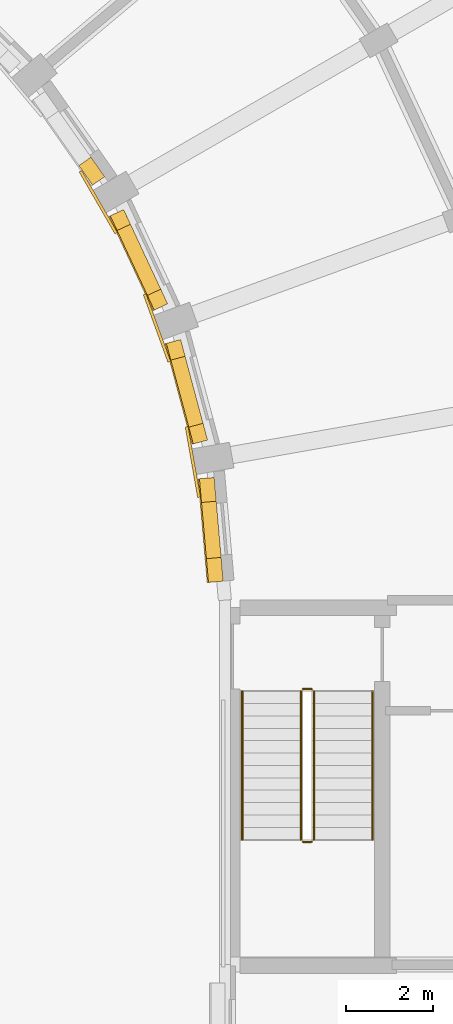
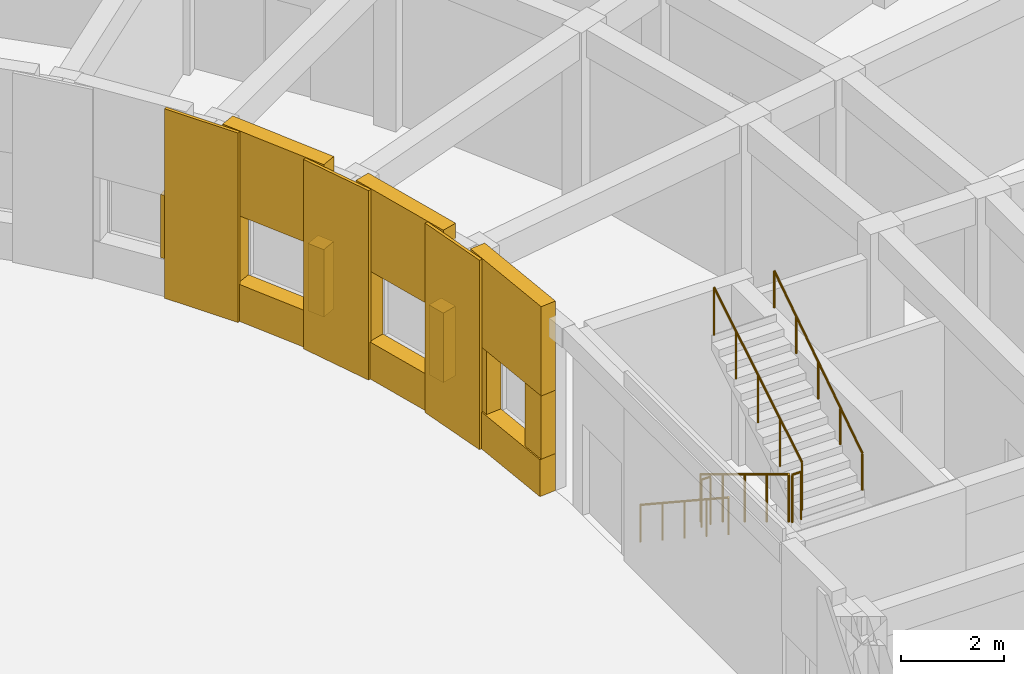
# One storey, part 132 of 135: 16 coverings, 6 railings.
"""IFC4 building model written with IfcOpenShell, lengths in metres."""

import ifcopenshell
import ifcopenshell.guid

model = None  # the IFC model being written
_history = None  # IfcOwnerHistory: only IFC2X3 demands one
_inside = {}  # id of a spatial element -> (the spatial element, [elements in it])
_under = {}  # id of a project, library or spatial element -> (it, [spatial elements below it])
_declared = {}  # id of a project -> (the project, [libraries it declares])
_typed = {}  # id of a type object -> (the type object, [elements of that type])
_made_of = {}  # id of a material, layer set ... -> (it, [elements and type objects made of it])


def new_model(schema):
    """Start an empty IFC model of exactly this schema.

    Asked for "IFC4X3", IfcOpenShell would pick the latest addendum, in which some entities
    have other attributes; the version numbers below select the first issue.
    IFC2X3 requires an IfcOwnerHistory on every rooted entity: one is made here for all.
    """
    global model, _history
    if schema == "IFC4X3":
        model = ifcopenshell.file(schema_version=(4, 3, 0, 0))
    else:
        model = ifcopenshell.file(schema=schema)
    _inside.clear()
    _under.clear()
    _declared.clear()
    _typed.clear()
    _made_of.clear()
    _history = None
    if model.schema == "IFC2X3":
        org = make("IfcOrganization", Name="unknown")
        user = make(
            "IfcPersonAndOrganization",
            ThePerson=make("IfcPerson", FamilyName="unknown"),
            TheOrganization=org,
        )
        app = make(
            "IfcApplication",
            ApplicationDeveloper=org,
            Version="unknown",
            ApplicationFullName="unknown",
            ApplicationIdentifier="unknown",
        )
        _history = make(
            "IfcOwnerHistory",
            OwningUser=user,
            OwningApplication=app,
            ChangeAction="ADDED",
            CreationDate=0,
        )
    return model


def make(cls, **values):
    """One entity of the class cls with the attributes given. An attribute that is None is left unset."""
    return model.create_entity(
        cls, **{name: value for name, value in values.items() if value is not None}
    )


def rooted(cls, **values):
    """An entity with a GlobalId (a new one), such as an element, a storey or a relation."""
    return make(cls, GlobalId=ifcopenshell.guid.new(), OwnerHistory=_history, **values)


def si_unit(unit_type, name, prefix=None):
    """IfcSIUnit, for example si_unit("LENGTHUNIT", "METRE", prefix="MILLI")."""
    return make("IfcSIUnit", UnitType=unit_type, Prefix=prefix, Name=name)


def assignment(units):
    """IfcUnitAssignment: the units of a project."""
    return None if units is None else make("IfcUnitAssignment", Units=units)


def point(xyz):
    """IfcCartesianPoint."""
    return None if xyz is None else make("IfcCartesianPoint", Coordinates=xyz)


def direction(xyz):
    """IfcDirection."""
    return None if xyz is None else make("IfcDirection", DirectionRatios=xyz)


def frame(location, z_axis=None, x_axis=None):
    """IfcAxis2Placement3D, a coordinate frame: its origin and axes. An axis left out is left unset."""
    return make(
        "IfcAxis2Placement3D",
        Location=point(location),
        Axis=direction(z_axis),
        RefDirection=direction(x_axis),
    )


def frame_2d(location, x_axis=None):
    """IfcAxis2Placement2D, a coordinate frame in the plane: its origin and x axis."""
    return make(
        "IfcAxis2Placement2D", Location=point(location), RefDirection=direction(x_axis)
    )


def origin():
    """The frame at (0, 0, 0) with its axes left unset."""
    return frame((0.0, 0.0, 0.0))


def origin_2d():
    """The frame at (0, 0) in the plane with its x axis left unset."""
    return frame_2d((0.0, 0.0))


def place(relative_to, where):
    """IfcLocalPlacement: puts the frame where relative to a parent placement (None: the world)."""
    return make(
        "IfcLocalPlacement", PlacementRelTo=relative_to, RelativePlacement=where
    )


def context(
    kind, dimensions, precision=None, world=None, true_north=None, identifier=None
):
    """IfcGeometricRepresentationContext, for example the 3D "Model" context."""
    return make(
        "IfcGeometricRepresentationContext",
        ContextIdentifier=identifier,
        ContextType=kind,
        CoordinateSpaceDimension=dimensions,
        Precision=precision,
        WorldCoordinateSystem=world,
        TrueNorth=true_north,
    )


def subcontext(parent, identifier, kind, view, scale=None):
    """IfcGeometricRepresentationSubContext, for example "Body" below "Model"."""
    return make(
        "IfcGeometricRepresentationSubContext",
        ContextIdentifier=identifier,
        ContextType=kind,
        ParentContext=parent,
        TargetScale=scale,
        TargetView=view,
    )


def project(units=None, contexts=None):
    """IfcProject with its units and contexts."""
    return rooted(
        "IfcProject",
        Name="project",
        RepresentationContexts=contexts,
        UnitsInContext=assignment(units),
    )


def spatial(cls, under=None, at=None, **own):
    """A site, building, storey or space (cls), placed at a placement, below another one or the project."""
    s = rooted(cls, ObjectPlacement=at, **own)
    if under is not None:
        _under.setdefault(under.id(), (under, []))[1].append(s)
    return s


def polyline(points):
    """IfcPolyline through the points."""
    return make("IfcPolyline", Points=[point(p) for p in points])


def profile(cls, at=None, kind="AREA", **sizes):
    """A parametric profile (cls). Its sizes go by their IFC names, for example OverallWidth=200.0."""
    return make(cls, ProfileType=kind, Position=at, **sizes)


def circle(**sizes):
    """IfcCircleProfileDef."""
    return profile("IfcCircleProfileDef", **sizes)


def outline(outer, holes=None, kind="AREA"):
    """IfcArbitraryClosedProfileDef: a profile drawn as a closed curve; with holes, ...WithVoids."""
    if holes is None:
        return make("IfcArbitraryClosedProfileDef", ProfileType=kind, OuterCurve=outer)
    return make(
        "IfcArbitraryProfileDefWithVoids",
        ProfileType=kind,
        OuterCurve=outer,
        InnerCurves=holes,
    )


def extrude(swept, where, along, depth):
    """IfcExtrudedAreaSolid: the profile swept, set in the frame where, extruded along a direction by depth."""
    return make(
        "IfcExtrudedAreaSolid",
        SweptArea=swept,
        Position=where,
        ExtrudedDirection=direction(along),
        Depth=depth,
    )


def shape(context_of_items, identifier, shape_type, items):
    """IfcShapeRepresentation: the items that make up one representation, for example the "Body"."""
    return make(
        "IfcShapeRepresentation",
        ContextOfItems=context_of_items,
        RepresentationIdentifier=identifier,
        RepresentationType=shape_type,
        Items=items,
    )


def material(Name=None, Category=None):
    """IfcMaterial."""
    return make("IfcMaterial", Name=Name, Category=Category)


def layer(
    of_material, thickness, ventilated=None, Name=None, Category=None, Priority=None
):
    """IfcMaterialLayer: one layer of a wall or slab, of a material (None: an air gap)."""
    return make(
        "IfcMaterialLayer",
        Material=of_material,
        LayerThickness=thickness,
        IsVentilated=ventilated,
        Name=Name,
        Category=Category,
        Priority=Priority,
    )


def layer_set(layers, Name=None):
    """IfcMaterialLayerSet."""
    return make("IfcMaterialLayerSet", MaterialLayers=layers, LayerSetName=Name)


def made_of(thing, what):
    """Note that an element or type object is made of a material, layer set ...; save() writes the relation."""
    if what is not None:
        _made_of.setdefault(what.id(), (what, []))[1].append(thing)
    return thing


def type_object(cls, material=None, **own):
    """A type object (cls), such as IfcWallType, which elements share."""
    return made_of(rooted(cls, **own), material)


def element(
    cls,
    number,
    at=None,
    inside=None,
    cuts=None,
    type_object=None,
    material=None,
    context=None,
    identifier="Body",
    shape_type=None,
    held_by="IfcProductDefinitionShape",
    body=None,
    shapes=None,
    **own,
):
    """One element of the class cls, such as IfcWall. Its Tag is "e" and its number.

    at: its placement. inside: the storey or other place that contains it. cuts: it is an
    opening in that element (IfcRelVoidsElement). A single representation is given by context,
    identifier, shape_type and body (its items); several are given by shapes. held_by: the class
    of the entity that holds the representations. save() writes the other relations.
    """
    e = rooted(cls, Tag="e%d" % number, ObjectPlacement=at, **own)
    if body is not None:
        shapes = [shape(context, identifier, shape_type, body)]
    if shapes is not None:
        e.Representation = make(held_by, Representations=shapes)
    if inside is not None:
        _inside.setdefault(inside.id(), (inside, []))[1].append(e)
    if cuts is not None:
        rooted(
            "IfcRelVoidsElement", RelatingBuildingElement=cuts, RelatedOpeningElement=e
        )
    if type_object is not None:
        _typed.setdefault(type_object.id(), (type_object, []))[1].append(e)
    return made_of(e, material)


def aggregate(whole, parts):
    """IfcRelAggregates: a whole, such as a stair, and the parts it consists of."""
    return rooted("IfcRelAggregates", RelatingObject=whole, RelatedObjects=parts)


def save(model, path):
    """Write the relations noted so far, then the file.

    IfcRelAggregates (storeys below a building ...), IfcRelContainedInSpatialStructure (elements
    in a storey), IfcRelDefinesByType, IfcRelAssociatesMaterial and IfcRelDeclares: one each for
    every whole, place, type object, material and project.
    """
    for whole, parts in _under.values():
        aggregate(whole, parts)
    for where, things in _inside.values():
        rooted(
            "IfcRelContainedInSpatialStructure",
            RelatedElements=things,
            RelatingStructure=where,
        )
    for kind, things in _typed.values():
        rooted("IfcRelDefinesByType", RelatedObjects=things, RelatingType=kind)
    for what, things in _made_of.values():
        rooted("IfcRelAssociatesMaterial", RelatedObjects=things, RelatingMaterial=what)
    for by, libraries in _declared.values():
        rooted("IfcRelDeclares", RelatingContext=by, RelatedDefinitions=libraries)
    model.write(path)


model = new_model("IFC4")

# Units and contexts
model_context = context("Model", 3, precision=1e-05, world=origin(), true_north=direction((0.0, 1.0)))
body_context = subcontext(model_context, "Body", "Model", "MODEL_VIEW")
ifc_project = project(units=[si_unit("LENGTHUNIT", "METRE"), si_unit("AREAUNIT", "SQUARE_METRE"), si_unit("VOLUMEUNIT", "CUBIC_METRE"), si_unit("PLANEANGLEUNIT", "RADIAN"), si_unit("MASSUNIT", "GRAM", prefix="KILO")], contexts=[model_context])

# Site, building, storey
site_placement = place(None, origin())
site = spatial("IfcSite", under=ifc_project, at=site_placement, CompositionType="ELEMENT")
building_placement = place(site_placement, origin())
building = spatial("IfcBuilding", under=site, at=building_placement, Name="Kiranvali Square Residences", CompositionType="ELEMENT")
storey_placement = place(building_placement, origin())
storey = spatial("IfcBuildingStorey", under=building, at=storey_placement, Name="L00", CompositionType="ELEMENT", Elevation=0.0)

# Coverings
ifc_material_1 = material(Name="Honed Porbandar limestone ashlar facade cladding", Category="masonry")
ifc_layer_1 = layer(ifc_material_1, 0.3798828125)
ifc_layer_set_1 = layer_set([ifc_layer_1], Name="Honed Porbandar limestone ashlar facade cladding")
covering_type_1 = type_object("IfcCoveringType", Name="COV-CLAD-JAMB", PredefinedType="CLADDING", material=ifc_layer_set_1)
covering_1_placement = place(storey_placement, frame((0.0, 0.0, 0.8798828125)))
element("IfcCovering", 1, at=covering_1_placement, inside=storey, type_object=covering_type_1, Name="L00 deep limestone window jamb reveal B-L00-GDN-05.R", PredefinedType="CLADDING", context=body_context, shape_type="SweptSolid", body=[
    extrude(outline(polyline([(135.23583984375, 97.814697265625), (135.55029296875, 97.365478515625), (135.828369140625, 97.56005859375), (135.513916015625, 98.009521484375), (135.23583984375, 97.814697265625)])), origin(), (0.0, 0.0, 1.0), 1.5),
])
covering_2_placement = place(storey_placement, frame((0.0, 0.0, 0.8798828125)))
element("IfcCovering", 2, at=covering_2_placement, inside=storey, type_object=covering_type_1, Name="L00 deep limestone window jamb reveal B-L00-GDN-06.L", PredefinedType="CLADDING", context=body_context, shape_type="SweptSolid", body=[
    extrude(outline(polyline([(135.958984375, 96.657470703125), (136.116943359375, 96.319091796875), (136.424560546875, 96.46240234375), (136.266845703125, 96.801025390625), (135.958984375, 96.657470703125)])), origin(), (0.0, 0.0, 1.0), 1.60009765625),
])
covering_3_placement = place(storey_placement, frame((0.0, 0.0, 0.8798828125)))
element("IfcCovering", 3, at=covering_3_placement, inside=storey, type_object=covering_type_1, Name="L00 deep limestone window jamb reveal B-L00-GDN-06.R", PredefinedType="CLADDING", context=body_context, shape_type="SweptSolid", body=[
    extrude(outline(polyline([(136.814208984375, 94.823486328125), (136.97216796875, 94.485107421875), (137.27978515625, 94.62841796875), (137.1220703125, 94.967041015625), (136.814208984375, 94.823486328125)])), origin(), (0.0, 0.0, 1.0), 1.60009765625),
])
covering_4_placement = place(storey_placement, frame((0.0, 0.0, 0.8798828125)))
element("IfcCovering", 4, at=covering_4_placement, inside=storey, type_object=covering_type_1, Name="L00 deep limestone window jamb reveal B-L00-GDN-07.L", PredefinedType="CLADDING", context=body_context, shape_type="SweptSolid", body=[
    extrude(outline(polyline([(137.251708984375, 93.717041015625), (137.354736328125, 93.33203125), (137.682861328125, 93.419921875), (137.57958984375, 93.804931640625), (137.251708984375, 93.717041015625)])), origin(), (0.0, 0.0, 1.0), 1.650146484375),
])
covering_5_placement = place(storey_placement, frame((0.0, 0.0, 0.8798828125)))
element("IfcCovering", 5, at=covering_5_placement, inside=storey, type_object=covering_type_1, Name="L00 deep limestone window jamb reveal B-L00-GDN-07.R", PredefinedType="CLADDING", context=body_context, shape_type="SweptSolid", body=[
    extrude(outline(polyline([(137.76904296875, 91.78662109375), (137.8720703125, 91.401611328125), (138.199951171875, 91.489501953125), (138.096923828125, 91.87451171875), (137.76904296875, 91.78662109375)])), origin(), (0.0, 0.0, 1.0), 1.650146484375),
])
covering_6_placement = place(storey_placement, frame((0.0, 0.0, 0.8798828125)))
element("IfcCovering", 6, at=covering_6_placement, inside=storey, type_object=covering_type_1, Name="L00 deep limestone window jamb reveal B-L00-GDN-08.L", PredefinedType="CLADDING", context=body_context, shape_type="SweptSolid", body=[
    extrude(outline(polyline([(138.013916015625, 90.5966796875), (138.061767578125, 90.05029296875), (138.400146484375, 90.079833984375), (138.352294921875, 90.626220703125), (138.013916015625, 90.5966796875)])), origin(), (0.0, 0.0, 1.0), 1.5),
])
covering_7_placement = place(storey_placement, frame((0.0, 0.0, 0.8798828125)))
element("IfcCovering", 7, at=covering_7_placement, inside=storey, type_object=covering_type_1, Name="L00 deep limestone window jamb reveal B-L00-GDN-08.R", PredefinedType="CLADDING", context=body_context, shape_type="SweptSolid", body=[
    extrude(outline(polyline([(138.175048828125, 88.755126953125), (138.222900390625, 88.208740234375), (138.56103515625, 88.23828125), (138.513427734375, 88.78466796875), (138.175048828125, 88.755126953125)])), origin(), (0.0, 0.0, 1.0), 1.5),
])
ifc_layer_2 = layer(ifc_material_1, 0.050048828125)
ifc_layer_set_2 = layer_set([ifc_layer_2], Name="Honed Porbandar limestone ashlar facade cladding")
covering_type_2 = type_object("IfcCoveringType", Name="COV-CLAD-PIER-IN", PredefinedType="CLADDING", material=ifc_layer_set_2)
covering_8_placement = place(storey_placement, frame((0.0, 0.0, 0.0048828125)))
element("IfcCovering", 8, at=covering_8_placement, inside=storey, type_object=covering_type_2, Name="L00 Classical garden courtyard pilaster CLAD-PRIN-B-L00-A06", PredefinedType="CLADDING", context=body_context, shape_type="SweptSolid", body=[
    extrude(outline(polyline([(135.241943359375, 97.66796875), (136.06689453125, 96.239013671875), (136.125244140625, 96.272705078125), (135.30029296875, 97.70166015625), (135.241943359375, 97.66796875)])), origin(), (0.0, 0.0, 1.0), 4.490234375),
])
covering_9_placement = place(storey_placement, frame((0.0, 0.0, 0.0048828125)))
element("IfcCovering", 9, at=covering_9_placement, inside=storey, type_object=covering_type_2, Name="L00 Classical garden courtyard pilaster CLAD-PRIN-B-L00-A07", PredefinedType="CLADDING", context=body_context, shape_type="SweptSolid", body=[
    extrude(outline(polyline([(136.720703125, 94.836669921875), (137.28515625, 93.2861328125), (137.3486328125, 93.30908203125), (136.7841796875, 94.859619140625), (136.720703125, 94.836669921875)])), origin(), (0.0, 0.0, 1.0), 4.490234375),
])
covering_10_placement = place(storey_placement, frame((0.0, 0.0, 0.0048828125)))
element("IfcCovering", 10, at=covering_10_placement, inside=storey, type_object=covering_type_2, Name="L00 Classical garden courtyard pilaster CLAD-PRIN-B-L00-A08", PredefinedType="CLADDING", context=body_context, shape_type="SweptSolid", body=[
    extrude(outline(polyline([(137.685546875, 91.79150390625), (137.97216796875, 90.16650390625), (138.03857421875, 90.17822265625), (137.752197265625, 91.80322265625), (137.685546875, 91.79150390625)])), origin(), (0.0, 0.0, 1.0), 4.490234375),
])
ifc_layer_3 = layer(ifc_material_1, 0.360107421875)
ifc_layer_set_3 = layer_set([ifc_layer_3], Name="Honed Porbandar limestone ashlar facade cladding")
covering_type_3 = type_object("IfcCoveringType", Name="COV-CLAD-WALL", PredefinedType="CLADDING", material=ifc_layer_set_3)
covering_11_placement = place(storey_placement, frame((0.0, 0.0, 2.47998046875)))
element("IfcCovering", 11, at=covering_11_placement, inside=storey, type_object=covering_type_3, Name="L00 light limestone spandrel lintel B-L00-GDN-06", PredefinedType="CLADDING", context=body_context, shape_type="SweptSolid", body=[
    extrude(outline(polyline([(135.958984375, 96.657470703125), (136.97216796875, 94.485107421875), (137.27978515625, 94.62841796875), (136.266845703125, 96.801025390625), (135.958984375, 96.657470703125)])), origin(), (0.0, 0.0, 1.0), 2.01513671875),
])
covering_12_placement = place(storey_placement, frame((0.0, 0.0, 2.530029296875)))
element("IfcCovering", 12, at=covering_12_placement, inside=storey, type_object=covering_type_3, Name="L00 light limestone spandrel lintel B-L00-GDN-07", PredefinedType="CLADDING", context=body_context, shape_type="SweptSolid", body=[
    extrude(outline(polyline([(137.251708984375, 93.717041015625), (137.8720703125, 91.401611328125), (138.199951171875, 91.489501953125), (137.57958984375, 93.804931640625), (137.251708984375, 93.717041015625)])), origin(), (0.0, 0.0, 1.0), 1.965087890625),
])
covering_13_placement = place(storey_placement, frame((0.0, 0.0, 2.3798828125)))
element("IfcCovering", 13, at=covering_13_placement, inside=storey, type_object=covering_type_3, Name="L00 light limestone spandrel lintel B-L00-GDN-08", PredefinedType="CLADDING", context=body_context, shape_type="SweptSolid", body=[
    extrude(outline(polyline([(138.013916015625, 90.5966796875), (138.222900390625, 88.208740234375), (138.56103515625, 88.23828125), (138.352294921875, 90.626220703125), (138.013916015625, 90.5966796875)])), origin(), (0.0, 0.0, 1.0), 2.115234375),
])
ifc_layer_4 = layer(ifc_material_1, 0.2900390625)
ifc_layer_set_4 = layer_set([ifc_layer_4], Name="Honed Porbandar limestone ashlar facade cladding")
covering_type_4 = type_object("IfcCoveringType", Name="COV-CLAD-WALL-IN", PredefinedType="CLADDING", material=ifc_layer_set_4)
covering_14_placement = place(storey_placement, frame((0.0, 0.0, 0.0048828125)))
element("IfcCovering", 14, at=covering_14_placement, inside=storey, type_object=covering_type_4, Name="L00 limestone window sill apron B-L00-GDN-06", PredefinedType="CLADDING", context=body_context, shape_type="SweptSolid", body=[
    extrude(outline(polyline([(135.931884765625, 96.644775390625), (136.94482421875, 94.472412109375), (137.27978515625, 94.62841796875), (136.266845703125, 96.801025390625), (135.931884765625, 96.644775390625)])), origin(), (0.0, 0.0, 1.0), 0.875),
])
covering_15_placement = place(storey_placement, frame((0.0, 0.0, 0.0048828125)))
element("IfcCovering", 15, at=covering_15_placement, inside=storey, type_object=covering_type_4, Name="L00 limestone window sill apron B-L00-GDN-07", PredefinedType="CLADDING", context=body_context, shape_type="SweptSolid", body=[
    extrude(outline(polyline([(137.22265625, 93.709228515625), (137.843017578125, 91.393798828125), (138.199951171875, 91.489501953125), (137.57958984375, 93.804931640625), (137.22265625, 93.709228515625)])), origin(), (0.0, 0.0, 1.0), 0.875),
])
covering_16_placement = place(storey_placement, frame((0.0, 0.0, 0.0048828125)))
element("IfcCovering", 16, at=covering_16_placement, inside=storey, type_object=covering_type_4, Name="L00 limestone window sill apron B-L00-GDN-08", PredefinedType="CLADDING", context=body_context, shape_type="SweptSolid", body=[
    extrude(outline(polyline([(137.984130859375, 90.593994140625), (138.193115234375, 88.2060546875), (138.56103515625, 88.23828125), (138.352294921875, 90.626220703125), (137.984130859375, 90.593994140625)])), origin(), (0.0, 0.0, 1.0), 0.875),
])

# Railings
ifc_material_2 = material(Name="Brushed stainless steel tubular handrail", Category="steel")
railing_type_1 = type_object("IfcRailingType", Name="RL-HANDRAIL-900", PredefinedType="HANDRAIL", material=ifc_material_2)
railing_1_placement = place(storey_placement, frame((139.0, 85.699951171875, 0.173095703125)))
element("IfcRailing", 17, at=railing_1_placement, inside=storey, type_object=railing_type_1, Name="L00 ST-B3 stair handrail 1", PredefinedType="HANDRAIL", context=body_context, shape_type="SweptSolid", body=[
    extrude(circle(Radius=0.02392578125, at=origin_2d()), frame((0.0, 0.0, 0.8759765625), z_axis=(0.0, -0.835411317272, 0.549625264133), x_axis=(1.0, 0.0, 0.0)), (0.0, 0.0, 1.0), 4.09375),
    extrude(circle(Radius=0.02099609375, at=origin_2d()), origin(), (0.0, 0.0, 1.0), 0.851806640625),
    extrude(circle(Radius=0.02099609375, at=origin_2d()), frame((0.0, -0.85498046875, 0.5625)), (0.0, 0.0, 1.0), 0.851806640625),
    extrude(circle(Radius=0.02099609375, at=origin_2d()), frame((0.0, -1.7099609375, 1.125)), (0.0, 0.0, 1.0), 0.851806640625),
    extrude(circle(Radius=0.02099609375, at=origin_2d()), frame((0.0, -2.56494140625, 1.6875)), (0.0, 0.0, 1.0), 0.851806640625),
    extrude(circle(Radius=0.02099609375, at=origin_2d()), frame((0.0, -3.419921875, 2.25)), (0.0, 0.0, 1.0), 0.851806640625),
])
railing_2_placement = place(storey_placement, frame((142.0, 82.280029296875, 2.423095703125)))
element("IfcRailing", 18, at=railing_2_placement, inside=storey, type_object=railing_type_1, Name="L00 ST-B3 stair handrail 2", PredefinedType="HANDRAIL", context=body_context, shape_type="SweptSolid", body=[
    extrude(circle(Radius=0.02392578125, at=origin_2d()), frame((0.0, 0.0, 0.8759765625), z_axis=(0.0, 0.835411317272, 0.549625264133), x_axis=(-1.0, 0.0, 0.0)), (0.0, 0.0, 1.0), 4.09375),
    extrude(circle(Radius=0.02099609375, at=origin_2d()), origin(), (0.0, 0.0, 1.0), 0.851806640625),
    extrude(circle(Radius=0.02099609375, at=origin_2d()), frame((0.0, 0.85498046875, 0.5625)), (0.0, 0.0, 1.0), 0.851806640625),
    extrude(circle(Radius=0.02099609375, at=origin_2d()), frame((0.0, 1.7099609375, 1.125)), (0.0, 0.0, 1.0), 0.851806640625),
    extrude(circle(Radius=0.02099609375, at=origin_2d()), frame((0.0, 2.56494140625, 1.6875)), (0.0, 0.0, 1.0), 0.851806640625),
    extrude(circle(Radius=0.02099609375, at=origin_2d()), frame((0.0, 3.419921875, 2.25)), (0.0, 0.0, 1.0), 0.851806640625),
])
ifc_material_3 = material(Name="Powder-coated architectural bronze balustrade", Category="steel")
railing_type_2 = type_object("IfcRailingType", Name="RL-ST-GUARD-1200", PredefinedType="GUARDRAIL", material=ifc_material_3)
railing_3_placement = place(storey_placement, frame((140.35009765625, 85.699951171875, 0.173095703125)))
element("IfcRailing", 19, at=railing_3_placement, inside=storey, type_object=railing_type_2, Name="L00 ST-B3 stair guard 1", PredefinedType="GUARDRAIL", context=body_context, shape_type="SweptSolid", body=[
    extrude(circle(Radius=0.02392578125, at=origin_2d()), frame((0.0, 0.0, 1.1259765625), z_axis=(0.0, -0.854729506542, 0.519073665916), x_axis=(1.0, 0.0, 0.0)), (0.0, 0.0, 1.0), 4.001220703125),
    extrude(circle(Radius=0.02099609375, at=origin_2d()), origin(), (0.0, 0.0, 1.0), 1.101806640625),
    extrude(circle(Radius=0.02099609375, at=origin_2d()), frame((0.0, -0.85498046875, 0.519287109375)), (0.0, 0.0, 1.0), 1.101806640625),
    extrude(circle(Radius=0.02099609375, at=origin_2d()), frame((0.0, -1.7099609375, 1.03857421875)), (0.0, 0.0, 1.0), 1.101806640625),
    extrude(circle(Radius=0.02099609375, at=origin_2d()), frame((0.0, -2.56494140625, 1.5576171875)), (0.0, 0.0, 1.0), 1.101806640625),
    extrude(circle(Radius=0.02099609375, at=origin_2d()), frame((0.0, -3.419921875, 2.076904296875)), (0.0, 0.0, 1.0), 1.101806640625),
])
railing_4_placement = place(storey_placement, frame((140.39990234375, 82.22998046875, 2.25)))
element("IfcRailing", 20, at=railing_4_placement, inside=storey, type_object=railing_type_2, Name="L00 ST-B3 stair guard 2", PredefinedType="GUARDRAIL", context=body_context, shape_type="SweptSolid", body=[
    extrude(circle(Radius=0.02392578125, at=origin_2d()), frame((0.0, 0.0, 1.1259765625), z_axis=(1.0, 0.0, 0.0), x_axis=(0.0, 1.0, 0.0)), (0.0, 0.0, 1.0), 0.2001953125),
    extrude(circle(Radius=0.02099609375, at=origin_2d()), origin(), (0.0, 0.0, 1.0), 1.101806640625),
    extrude(circle(Radius=0.02099609375, at=origin_2d()), frame((0.2001953125, 0.0, 0.0)), (0.0, 0.0, 1.0), 1.101806640625),
])
railing_5_placement = place(storey_placement, frame((140.64990234375, 82.280029296875, 2.423095703125)))
element("IfcRailing", 21, at=railing_5_placement, inside=storey, type_object=railing_type_2, Name="L00 ST-B3 stair guard 3", PredefinedType="GUARDRAIL", context=body_context, shape_type="SweptSolid", body=[
    extrude(circle(Radius=0.02392578125, at=origin_2d()), frame((0.0, 0.0, 1.1259765625), z_axis=(0.0, 0.854729506542, 0.519073665916), x_axis=(-1.0, 0.0, 0.0)), (0.0, 0.0, 1.0), 4.001220703125),
    extrude(circle(Radius=0.02099609375, at=origin_2d()), origin(), (0.0, 0.0, 1.0), 1.101806640625),
    extrude(circle(Radius=0.02099609375, at=origin_2d()), frame((0.0, 0.85498046875, 0.519287109375)), (0.0, 0.0, 1.0), 1.101806640625),
    extrude(circle(Radius=0.02099609375, at=origin_2d()), frame((0.0, 1.7099609375, 1.03857421875)), (0.0, 0.0, 1.0), 1.101806640625),
    extrude(circle(Radius=0.02099609375, at=origin_2d()), frame((0.0, 2.56494140625, 1.5576171875)), (0.0, 0.0, 1.0), 1.101806640625),
    extrude(circle(Radius=0.02099609375, at=origin_2d()), frame((0.0, 3.419921875, 2.076904296875)), (0.0, 0.0, 1.0), 1.101806640625),
])
railing_6_placement = place(storey_placement, frame((140.39990234375, 85.75, 0.0)))
element("IfcRailing", 22, at=railing_6_placement, inside=storey, type_object=railing_type_2, Name="L00 ST-B3 stair guard 4", PredefinedType="GUARDRAIL", context=body_context, shape_type="SweptSolid", body=[
    extrude(circle(Radius=0.02392578125, at=origin_2d()), frame((0.0, 0.0, 1.1259765625), z_axis=(1.0, 0.0, 0.0), x_axis=(0.0, 1.0, 0.0)), (0.0, 0.0, 1.0), 0.2001953125),
    extrude(circle(Radius=0.02099609375, at=origin_2d()), origin(), (0.0, 0.0, 1.0), 1.101806640625),
    extrude(circle(Radius=0.02099609375, at=origin_2d()), frame((0.2001953125, 0.0, 0.0)), (0.0, 0.0, 1.0), 1.101806640625),
])

save(model, "model.ifc")
